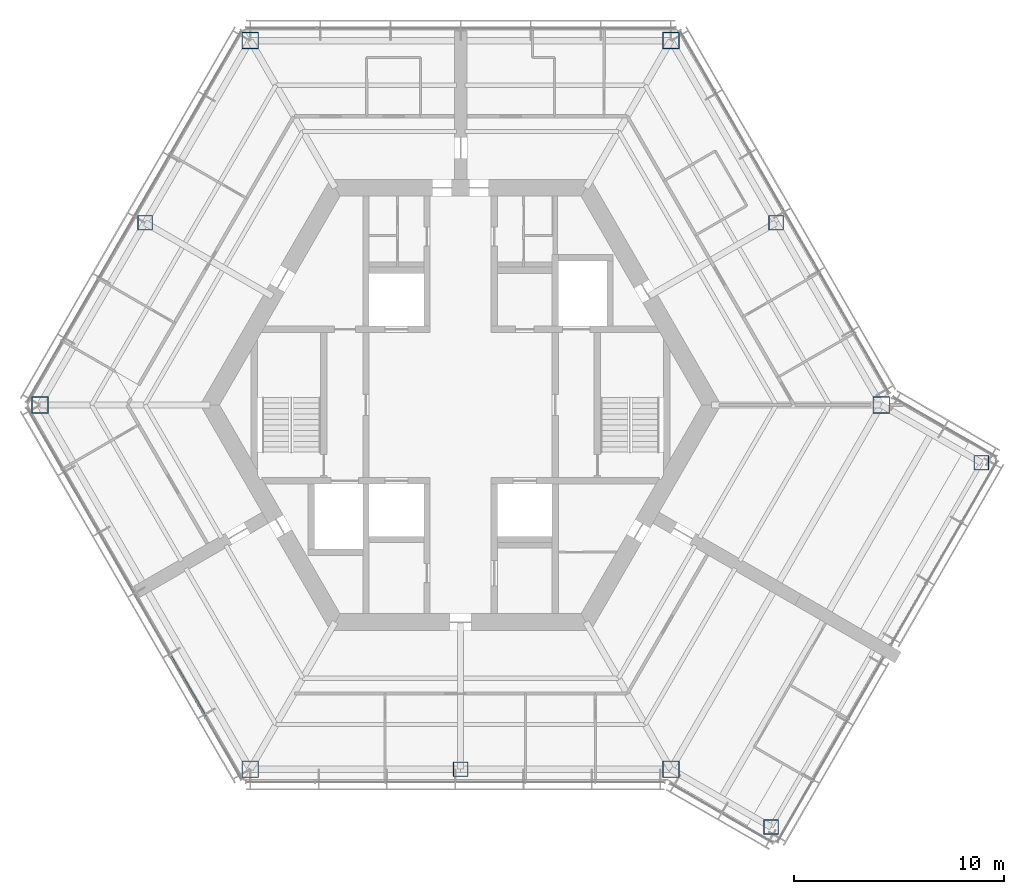
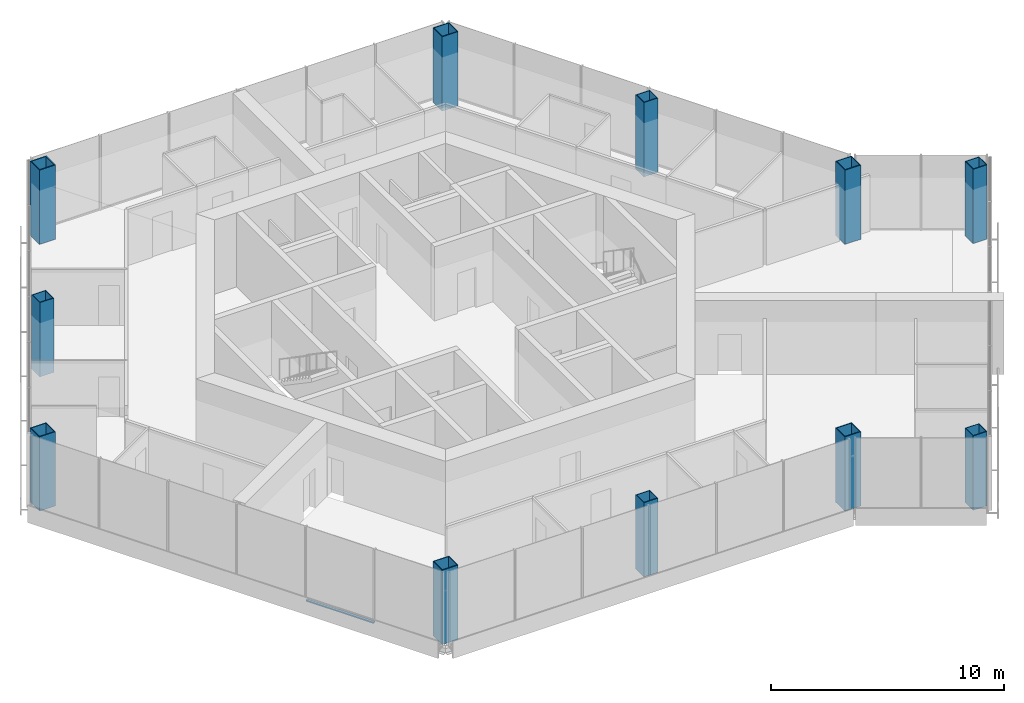
# One storey, part 1 of 13: 11 columns, 1 member, 1 element without a shape of its own.
"""IFC4 building model written with IfcOpenShell, lengths in metres."""

from ifc_helpers import new_model, si_unit, direction, frame, origin, origin_2d, place, context, subcontext, project, spatial, rectangle, hollow_rectangle, extrude, material, material_profile, profile_set, type_object, element, aggregate, save


model = new_model("IFC4")

# Units and contexts
model_context = context("Model", 3, precision=1e-05, world=origin(), true_north=direction((0.0, 1.0)))
body_context = subcontext(model_context, "Body", "Model", "MODEL_VIEW")
ifc_project = project(units=[si_unit("LENGTHUNIT", "METRE"), si_unit("AREAUNIT", "SQUARE_METRE"), si_unit("VOLUMEUNIT", "CUBIC_METRE"), si_unit("PLANEANGLEUNIT", "RADIAN"), si_unit("MASSUNIT", "GRAM", prefix="KILO")], contexts=[model_context])

# Site, building, storey
site_placement = place(None, origin())
site = spatial("IfcSite", under=ifc_project, at=site_placement, CompositionType="ELEMENT")
building_placement = place(site_placement, origin())
building = spatial("IfcBuilding", under=site, at=building_placement, Name="Kasaneha Research Tower", CompositionType="ELEMENT")
storey_placement = place(building_placement, frame((0.0, 0.0, 279.10009765625)))
storey = spatial("IfcBuildingStorey", under=building, at=storey_placement, Name="L70", CompositionType="ELEMENT", Elevation=279.10009765625)

# Columns
ifc_material_1 = material(Name="Steel SN490C", Category="steel")
ifc_material_profile_1 = material_profile(ifc_material_1, hollow_rectangle(XDim=0.800048828125, YDim=0.800048828125, WallThickness=0.0400390625, at=origin_2d()), Name="BOX-800x800x40")
ifc_profile_set_1 = profile_set([ifc_material_profile_1], Name="Steel SN490C")
column_type_1 = type_object("IfcColumnType", Name="C4A column BOX-800x800x40", PredefinedType="COLUMN", material=ifc_profile_set_1)
for number, where, z_axis, x_axis, name in (
    (1, (20.0, 0.0, 0.0), (0.0, 0.0, 1.0), (1.0, 0.0, 0.0), "Column V0 L70"),
    (2, (10.0, 17.320556640625, 0.0), (0.0, 0.0, 1.0), (1.0, 0.0, 0.0), "Column V1 L70"),
    (3, (-10.0, 17.320556640625, 0.0), (0.0, 0.0, 1.0), (1.0, 0.0, 0.0), "Column V2 L70"),
    (4, (-20.0, 0.0, 0.0), (0.0, 0.0, 1.0), (1.0, 0.0, 0.0), "Column V3 L70"),
    (5, (-10.0, -17.320556640625, 0.0), (0.0, 0.0, 1.0), (1.0, 0.0, 0.0), "Column V4 L70"),
    (6, (10.0, -17.320556640625, 0.0), (0.0, 0.0, 1.0), (1.0, 0.0, 0.0), "Column V5 L70"),
):
    element("IfcColumn", number, at=place(storey_placement, frame(where, z_axis=z_axis, x_axis=x_axis)), inside=storey, type_object=column_type_1, Name=name, PredefinedType="COLUMN", context=body_context, shape_type="SweptSolid", body=[
        extrude(hollow_rectangle(XDim=0.800048828125, YDim=0.800048828125, WallThickness=0.0400390625, at=origin_2d()), origin(), (0.0, 0.0, 1.0), 3.89990234375),
    ])
ifc_material_2 = material(Name="Steel SN490C", Category="steel")
ifc_material_profile_2 = material_profile(ifc_material_2, hollow_rectangle(XDim=0.699951171875, YDim=0.699951171875, WallThickness=0.031982421875, at=origin_2d()), Name="BOX-700x700x32")
ifc_profile_set_2 = profile_set([ifc_material_profile_2], Name="Steel SN490C")
column_type_2 = type_object("IfcColumnType", Name="C4B column BOX-700x700x32", PredefinedType="COLUMN", material=ifc_profile_set_2)
for number, where, z_axis, x_axis, name in (
    (7, (15.0, 8.66015625, 0.0), (0.0, 0.0, 1.0), (1.0, 0.0, 0.0), "Column M030 L70"),
    (8, (-15.0, 8.66015625, 0.0), (0.0, 0.0, 1.0), (1.0, 0.0, 0.0), "Column M150 L70"),
    (9, (0.0, -17.320556640625, 0.0), (0.0, 0.0, 1.0), (1.0, 0.0, 0.0), "Column M270 L70"),
    (10, (14.76318359375, -20.070556640625, 0.0), (0.0, 0.0, 1.0), (1.0, 0.0, 0.0), "Column CSP L70"),
    (11, (24.76318359375, -2.75, 0.0), (0.0, 0.0, 1.0), (1.0, 0.0, 0.0), "Column CSN L70"),
):
    element("IfcColumn", number, at=place(storey_placement, frame(where, z_axis=z_axis, x_axis=x_axis)), inside=storey, type_object=column_type_2, Name=name, PredefinedType="COLUMN", context=body_context, shape_type="SweptSolid", body=[
        extrude(hollow_rectangle(XDim=0.699951171875, YDim=0.699951171875, WallThickness=0.031982421875, at=origin_2d()), origin(), (0.0, 0.0, 1.0), 3.89990234375),
    ])

# Curtain wall, member
ifc_material_3 = material(Name="Glass and aluminium", Category="aluminium")
curtain_wall_type = type_object("IfcCurtainWallType", Name="Crown curtain wall", PredefinedType="USERDEFINED", material=ifc_material_3)
curtain_wall_placement = place(storey_placement, origin())
curtain_wall = element("IfcCurtainWall", 12, at=curtain_wall_placement, inside=storey, type_object=curtain_wall_type, Name="CW-C L70 run 04a", ObjectType="UNITISED CURTAIN WALL", PredefinedType="USERDEFINED")
ifc_material_4 = material(Name="Aluminium 6063-T6", Category="aluminium")
ifc_material_profile_3 = material_profile(ifc_material_4, rectangle(XDim=0.1298828125, YDim=0.06005859375, at=origin_2d()), Name="CW-C transom 130x60")
ifc_profile_set_3 = profile_set([ifc_material_profile_3], Name="Aluminium 6063-T6")
member_type = type_object("IfcMemberType", Name="CW-C transom", PredefinedType="USERDEFINED", material=ifc_profile_set_3)
member_placement = place(storey_placement, frame((-13.796875, -11.944091796875, 0.02978515625), z_axis=(0.499989072476, -0.866031712701, 0.0), x_axis=(0.866031712701, 0.499989072476, 0.0)))
member = element("IfcMember", 13, at=member_placement, type_object=member_type, Name="CW-C transom 5", ObjectType="TRANSOM", PredefinedType="USERDEFINED", context=body_context, shape_type="SweptSolid", body=[
    extrude(rectangle(XDim=0.1298828125, YDim=0.06005859375, at=origin_2d()), origin(), (0.0, 0.0, 1.0), 3.35546875),
])
aggregate(curtain_wall, [member])

save(model, "model.ifc")
